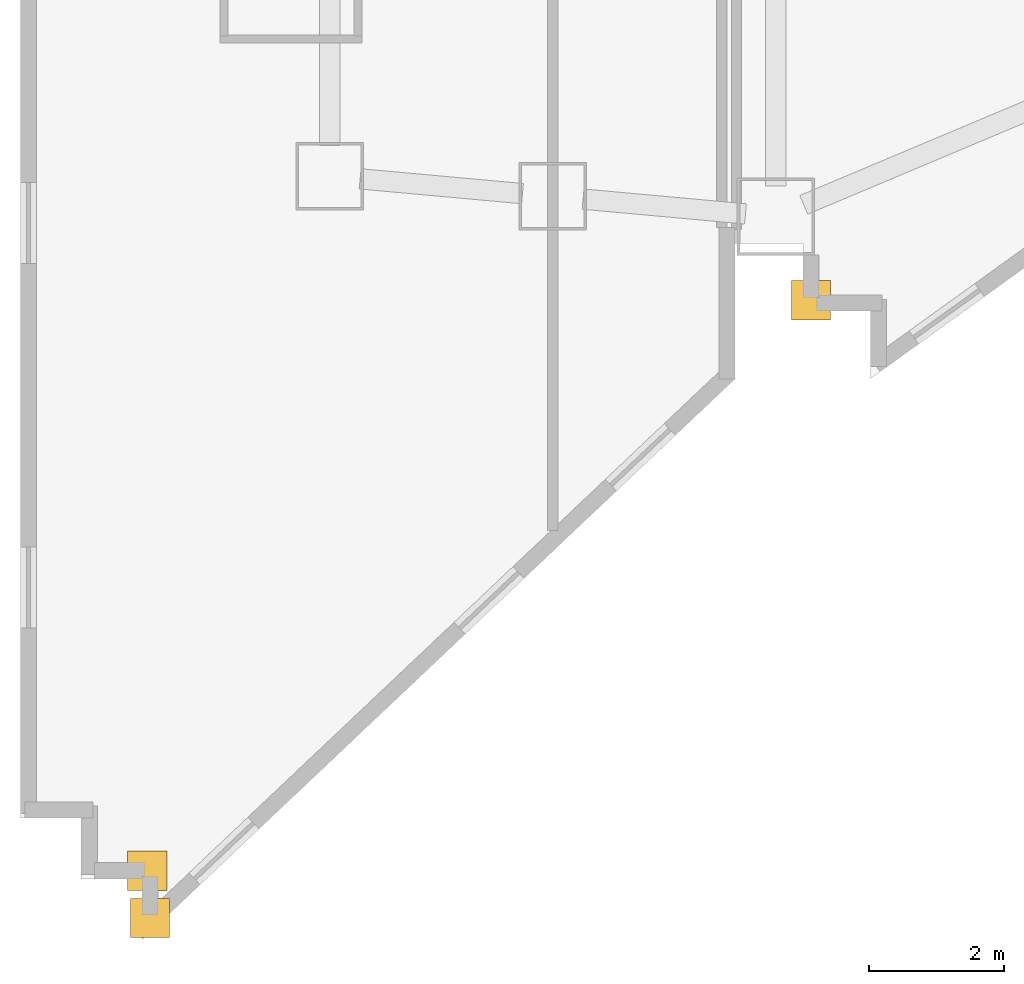
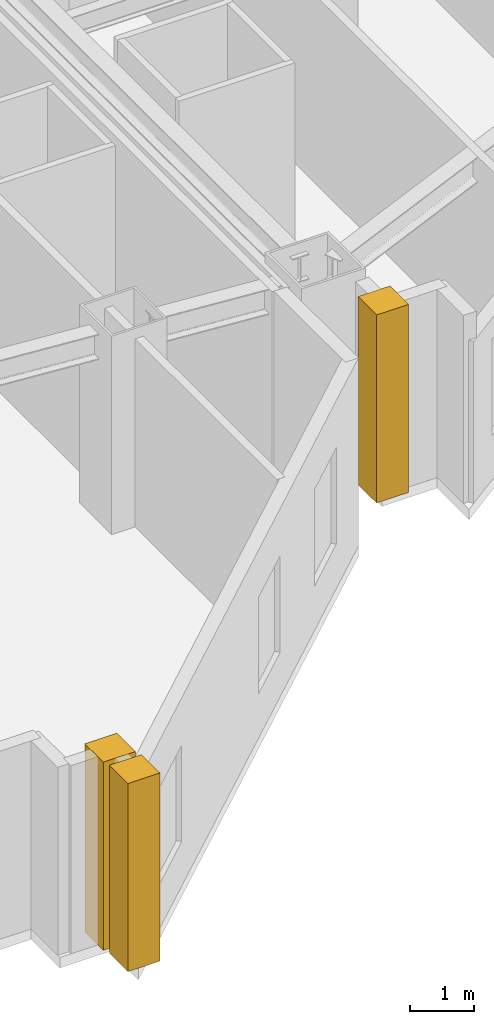
# One storey, part 13 of 17: 3 coverings.
"""IFC4 building model written with IfcOpenShell, lengths in metres."""

import ifcopenshell
import ifcopenshell.guid

model = None  # the IFC model being written
_history = None  # IfcOwnerHistory: only IFC2X3 demands one
_inside = {}  # id of a spatial element -> (the spatial element, [elements in it])
_under = {}  # id of a project, library or spatial element -> (it, [spatial elements below it])
_declared = {}  # id of a project -> (the project, [libraries it declares])
_typed = {}  # id of a type object -> (the type object, [elements of that type])
_made_of = {}  # id of a material, layer set ... -> (it, [elements and type objects made of it])


def new_model(schema):
    """Start an empty IFC model of exactly this schema.

    Asked for "IFC4X3", IfcOpenShell would pick the latest addendum, in which some entities
    have other attributes; the version numbers below select the first issue.
    IFC2X3 requires an IfcOwnerHistory on every rooted entity: one is made here for all.
    """
    global model, _history
    if schema == "IFC4X3":
        model = ifcopenshell.file(schema_version=(4, 3, 0, 0))
    else:
        model = ifcopenshell.file(schema=schema)
    _inside.clear()
    _under.clear()
    _declared.clear()
    _typed.clear()
    _made_of.clear()
    _history = None
    if model.schema == "IFC2X3":
        org = make("IfcOrganization", Name="unknown")
        user = make(
            "IfcPersonAndOrganization",
            ThePerson=make("IfcPerson", FamilyName="unknown"),
            TheOrganization=org,
        )
        app = make(
            "IfcApplication",
            ApplicationDeveloper=org,
            Version="unknown",
            ApplicationFullName="unknown",
            ApplicationIdentifier="unknown",
        )
        _history = make(
            "IfcOwnerHistory",
            OwningUser=user,
            OwningApplication=app,
            ChangeAction="ADDED",
            CreationDate=0,
        )
    return model


def make(cls, **values):
    """One entity of the class cls with the attributes given. An attribute that is None is left unset."""
    return model.create_entity(
        cls, **{name: value for name, value in values.items() if value is not None}
    )


def rooted(cls, **values):
    """An entity with a GlobalId (a new one), such as an element, a storey or a relation."""
    return make(cls, GlobalId=ifcopenshell.guid.new(), OwnerHistory=_history, **values)


def si_unit(unit_type, name, prefix=None):
    """IfcSIUnit, for example si_unit("LENGTHUNIT", "METRE", prefix="MILLI")."""
    return make("IfcSIUnit", UnitType=unit_type, Prefix=prefix, Name=name)


def assignment(units):
    """IfcUnitAssignment: the units of a project."""
    return None if units is None else make("IfcUnitAssignment", Units=units)


def point(xyz):
    """IfcCartesianPoint."""
    return None if xyz is None else make("IfcCartesianPoint", Coordinates=xyz)


def direction(xyz):
    """IfcDirection."""
    return None if xyz is None else make("IfcDirection", DirectionRatios=xyz)


def frame(location, z_axis=None, x_axis=None):
    """IfcAxis2Placement3D, a coordinate frame: its origin and axes. An axis left out is left unset."""
    return make(
        "IfcAxis2Placement3D",
        Location=point(location),
        Axis=direction(z_axis),
        RefDirection=direction(x_axis),
    )


def frame_2d(location, x_axis=None):
    """IfcAxis2Placement2D, a coordinate frame in the plane: its origin and x axis."""
    return make(
        "IfcAxis2Placement2D", Location=point(location), RefDirection=direction(x_axis)
    )


def origin():
    """The frame at (0, 0, 0) with its axes left unset."""
    return frame((0.0, 0.0, 0.0))


def origin_2d():
    """The frame at (0, 0) in the plane with its x axis left unset."""
    return frame_2d((0.0, 0.0))


def place(relative_to, where):
    """IfcLocalPlacement: puts the frame where relative to a parent placement (None: the world)."""
    return make(
        "IfcLocalPlacement", PlacementRelTo=relative_to, RelativePlacement=where
    )


def context(
    kind, dimensions, precision=None, world=None, true_north=None, identifier=None
):
    """IfcGeometricRepresentationContext, for example the 3D "Model" context."""
    return make(
        "IfcGeometricRepresentationContext",
        ContextIdentifier=identifier,
        ContextType=kind,
        CoordinateSpaceDimension=dimensions,
        Precision=precision,
        WorldCoordinateSystem=world,
        TrueNorth=true_north,
    )


def subcontext(parent, identifier, kind, view, scale=None):
    """IfcGeometricRepresentationSubContext, for example "Body" below "Model"."""
    return make(
        "IfcGeometricRepresentationSubContext",
        ContextIdentifier=identifier,
        ContextType=kind,
        ParentContext=parent,
        TargetScale=scale,
        TargetView=view,
    )


def project(units=None, contexts=None):
    """IfcProject with its units and contexts."""
    return rooted(
        "IfcProject",
        Name="project",
        RepresentationContexts=contexts,
        UnitsInContext=assignment(units),
    )


def spatial(cls, under=None, at=None, **own):
    """A site, building, storey or space (cls), placed at a placement, below another one or the project."""
    s = rooted(cls, ObjectPlacement=at, **own)
    if under is not None:
        _under.setdefault(under.id(), (under, []))[1].append(s)
    return s


def profile(cls, at=None, kind="AREA", **sizes):
    """A parametric profile (cls). Its sizes go by their IFC names, for example OverallWidth=200.0."""
    return make(cls, ProfileType=kind, Position=at, **sizes)


def rectangle(**sizes):
    """IfcRectangleProfileDef."""
    return profile("IfcRectangleProfileDef", **sizes)


def extrude(swept, where, along, depth):
    """IfcExtrudedAreaSolid: the profile swept, set in the frame where, extruded along a direction by depth."""
    return make(
        "IfcExtrudedAreaSolid",
        SweptArea=swept,
        Position=where,
        ExtrudedDirection=direction(along),
        Depth=depth,
    )


def shape(context_of_items, identifier, shape_type, items):
    """IfcShapeRepresentation: the items that make up one representation, for example the "Body"."""
    return make(
        "IfcShapeRepresentation",
        ContextOfItems=context_of_items,
        RepresentationIdentifier=identifier,
        RepresentationType=shape_type,
        Items=items,
    )


def material(Name=None, Category=None):
    """IfcMaterial."""
    return make("IfcMaterial", Name=Name, Category=Category)


def layer(
    of_material, thickness, ventilated=None, Name=None, Category=None, Priority=None
):
    """IfcMaterialLayer: one layer of a wall or slab, of a material (None: an air gap)."""
    return make(
        "IfcMaterialLayer",
        Material=of_material,
        LayerThickness=thickness,
        IsVentilated=ventilated,
        Name=Name,
        Category=Category,
        Priority=Priority,
    )


def layer_set(layers, Name=None):
    """IfcMaterialLayerSet."""
    return make("IfcMaterialLayerSet", MaterialLayers=layers, LayerSetName=Name)


def made_of(thing, what):
    """Note that an element or type object is made of a material, layer set ...; save() writes the relation."""
    if what is not None:
        _made_of.setdefault(what.id(), (what, []))[1].append(thing)
    return thing


def type_object(cls, material=None, **own):
    """A type object (cls), such as IfcWallType, which elements share."""
    return made_of(rooted(cls, **own), material)


def element(
    cls,
    number,
    at=None,
    inside=None,
    cuts=None,
    type_object=None,
    material=None,
    context=None,
    identifier="Body",
    shape_type=None,
    held_by="IfcProductDefinitionShape",
    body=None,
    shapes=None,
    **own,
):
    """One element of the class cls, such as IfcWall. Its Tag is "e" and its number.

    at: its placement. inside: the storey or other place that contains it. cuts: it is an
    opening in that element (IfcRelVoidsElement). A single representation is given by context,
    identifier, shape_type and body (its items); several are given by shapes. held_by: the class
    of the entity that holds the representations. save() writes the other relations.
    """
    e = rooted(cls, Tag="e%d" % number, ObjectPlacement=at, **own)
    if body is not None:
        shapes = [shape(context, identifier, shape_type, body)]
    if shapes is not None:
        e.Representation = make(held_by, Representations=shapes)
    if inside is not None:
        _inside.setdefault(inside.id(), (inside, []))[1].append(e)
    if cuts is not None:
        rooted(
            "IfcRelVoidsElement", RelatingBuildingElement=cuts, RelatedOpeningElement=e
        )
    if type_object is not None:
        _typed.setdefault(type_object.id(), (type_object, []))[1].append(e)
    return made_of(e, material)


def aggregate(whole, parts):
    """IfcRelAggregates: a whole, such as a stair, and the parts it consists of."""
    return rooted("IfcRelAggregates", RelatingObject=whole, RelatedObjects=parts)


def save(model, path):
    """Write the relations noted so far, then the file.

    IfcRelAggregates (storeys below a building ...), IfcRelContainedInSpatialStructure (elements
    in a storey), IfcRelDefinesByType, IfcRelAssociatesMaterial and IfcRelDeclares: one each for
    every whole, place, type object, material and project.
    """
    for whole, parts in _under.values():
        aggregate(whole, parts)
    for where, things in _inside.values():
        rooted(
            "IfcRelContainedInSpatialStructure",
            RelatedElements=things,
            RelatingStructure=where,
        )
    for kind, things in _typed.values():
        rooted("IfcRelDefinesByType", RelatedObjects=things, RelatingType=kind)
    for what, things in _made_of.values():
        rooted("IfcRelAssociatesMaterial", RelatedObjects=things, RelatingMaterial=what)
    for by, libraries in _declared.values():
        rooted("IfcRelDeclares", RelatingContext=by, RelatedDefinitions=libraries)
    model.write(path)


model = new_model("IFC4")

# Units and contexts
model_context = context("Model", 3, precision=1e-05, world=origin(), true_north=direction((0.0, 1.0)))
body_context = subcontext(model_context, "Body", "Model", "MODEL_VIEW")
ifc_project = project(units=[si_unit("LENGTHUNIT", "METRE"), si_unit("AREAUNIT", "SQUARE_METRE"), si_unit("VOLUMEUNIT", "CUBIC_METRE"), si_unit("PLANEANGLEUNIT", "RADIAN"), si_unit("MASSUNIT", "GRAM", prefix="KILO")], contexts=[model_context])

# Site, building, storey
site_placement = place(None, origin())
site = spatial("IfcSite", under=ifc_project, at=site_placement, CompositionType="ELEMENT")
building_placement = place(site_placement, origin())
building = spatial("IfcBuilding", under=site, at=building_placement, Name="Haolan Belvedere Tower", CompositionType="ELEMENT")
storey_placement = place(building_placement, frame((0.0, 0.0, 59.0)))
storey = spatial("IfcBuildingStorey", under=building, at=storey_placement, Name="L14", CompositionType="ELEMENT", Elevation=59.0)

# Coverings
ifc_material = material(Name="Pale champagne-silver anodised aluminium rainscreen cladding", Category="aluminium")
ifc_layer = layer(ifc_material, 0.034912109375, Name="Pale champagne-silver anodised aluminium rainscreen cladding")
ifc_layer_set = layer_set([ifc_layer], Name="Pale champagne-silver anodised aluminium rainscreen cladding")
covering_type = type_object("IfcCoveringType", Name="COV-CLAD-35", PredefinedType="CLADDING", material=ifc_layer_set)
for number, where, z_axis, x_axis, name in (
    (1, (3.297607421875, 7.118896484375, 0.0), (0.0, 0.0, 1.0), (1.0, 0.0, 0.0), "L14 pale-metal serrated corner cladding trim 1"),
    (2, (3.340087890625, 6.420166015625, 0.0), (0.0, 0.0, 1.0), (1.0, 0.0, 0.0), "L14 pale-metal serrated corner cladding trim 2"),
    (3, (13.1201171875, 15.5625, 0.0), (0.0, 0.0, 1.0), (1.0, 0.0, 0.0), "L14 pale-metal serrated corner cladding trim 3"),
):
    element("IfcCovering", number, at=place(storey_placement, frame(where, z_axis=z_axis, x_axis=x_axis)), inside=storey, type_object=covering_type, Name=name, PredefinedType="CLADDING", context=body_context, shape_type="SweptSolid", body=[
        extrude(rectangle(XDim=0.580078125, YDim=0.580078125, at=origin_2d()), origin(), (0.0, 0.0, 1.0), 3.60009765625),
    ])

save(model, "model.ifc")
